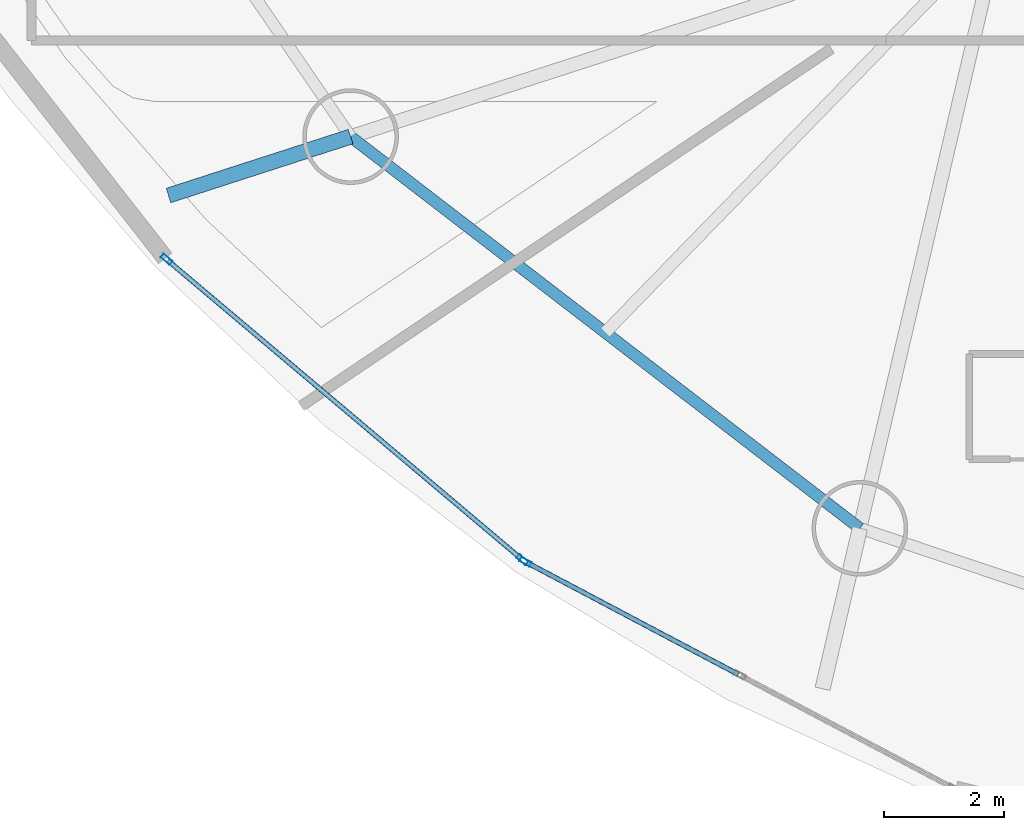
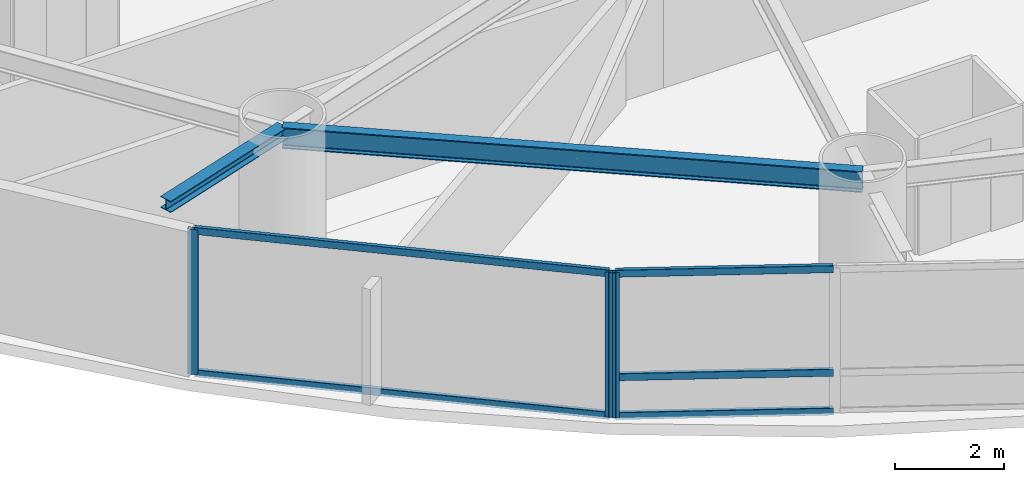
# One storey, part 2 of 19: 8 members, 2 beams, 2 elements without a shape of their own.
"""IFC4 building model written with IfcOpenShell, lengths in metres."""

from ifc_helpers import new_model, si_unit, direction, frame, origin, origin_2d, place, context, subcontext, project, spatial, hollow_rectangle, i_section, extrude, material, layer, layer_set, material_profile, profile_set, type_object, element, aggregate, save


model = new_model("IFC4")

# Units and contexts
model_context = context("Model", 3, precision=1e-05, world=origin(), true_north=direction((0.0, 1.0)))
body_context = subcontext(model_context, "Body", "Model", "MODEL_VIEW")
ifc_project = project(units=[si_unit("LENGTHUNIT", "METRE"), si_unit("AREAUNIT", "SQUARE_METRE"), si_unit("VOLUMEUNIT", "CUBIC_METRE"), si_unit("PLANEANGLEUNIT", "RADIAN"), si_unit("MASSUNIT", "GRAM", prefix="KILO")], contexts=[model_context])

# Site, building, storey
site_placement = place(None, origin())
site = spatial("IfcSite", under=ifc_project, at=site_placement, CompositionType="ELEMENT")
building_placement = place(site_placement, origin())
building = spatial("IfcBuilding", under=site, at=building_placement, Name="Bramvorn Convention Spire", CompositionType="ELEMENT")
storey_placement = place(building_placement, frame((0.0, 0.0, 62.39990234375)))
storey = spatial("IfcBuildingStorey", under=building, at=storey_placement, Name="L13", CompositionType="ELEMENT", Elevation=62.39990234375)

# Beams
ifc_material_1 = material(Name="Steel CSA G40.21 Grade 350 (350W)", Category="steel")
ifc_material_profile_1 = material_profile(ifc_material_1, i_section(OverallWidth=0.25390625, OverallDepth=0.2529296875, WebThickness=0.008544921875, FlangeThickness=0.01416015625, FilletRadius=0.011962890625, at=origin_2d()))
ifc_profile_set_1 = profile_set([ifc_material_profile_1], Name="Steel CSA G40.21 Grade 350 (350W) - W250X73")
beam_type_1 = type_object("IfcBeamType", Name="BM-W250X73", PredefinedType="BEAM", material=ifc_profile_set_1)
beam_1_placement = place(storey_placement, frame((15.894775390625, 15.039794921875, 3.12353515625), z_axis=(-0.951483286173, -0.307700432454, 0.0), x_axis=(0.307700432454, -0.951483286173, 0.0)))
element("IfcBeam", 1, at=beam_1_placement, inside=storey, type_object=beam_type_1, Name="L13 slab-edge cantilever tip beam MC11", PredefinedType="BEAM", context=body_context, shape_type="SweptSolid", body=[
    extrude(i_section(OverallWidth=0.25390625, OverallDepth=0.2529296875, WebThickness=0.008544921875, FlangeThickness=0.01416015625, FilletRadius=0.011962890625, at=origin_2d()), origin(), (0.0, 0.0, 1.0), 3.199951171875),
])
ifc_material_profile_2 = material_profile(ifc_material_1, i_section(OverallWidth=0.194091796875, OverallDepth=0.468994140625, WebThickness=0.0126953125, FlangeThickness=0.0205078125, FilletRadius=0.01806640625, at=origin_2d()))
ifc_profile_set_2 = profile_set([ifc_material_profile_2], Name="Steel CSA G40.21 Grade 350 (350W) - W460X106")
beam_type_2 = type_object("IfcBeamType", Name="BM-W460X106", PredefinedType="SPANDREL", material=ifc_profile_set_2)
beam_2_placement = place(storey_placement, frame((15.894775390625, 15.039794921875, 3.015625), z_axis=(0.792672990445, -0.609647053809, 0.0), x_axis=(0.609647053809, 0.792672990445, 0.0)))
element("IfcBeam", 2, at=beam_2_placement, inside=storey, type_object=beam_type_2, Name="L13 mega-column ring beam 11", PredefinedType="SPANDREL", context=body_context, shape_type="SweptSolid", body=[
    extrude(i_section(OverallWidth=0.194091796875, OverallDepth=0.468994140625, WebThickness=0.0126953125, FlangeThickness=0.0205078125, FilletRadius=0.01806640625, at=origin_2d()), origin(), (0.0, 0.0, 1.0), 10.741943359375),
])

# Curtain wall, members
ifc_material_2 = material(Name="Anodised Bronze Unitised Curtain Wall", Category="aluminium")
ifc_layer = layer(ifc_material_2, 0.179931640625)
ifc_layer_set = layer_set([ifc_layer], Name="Anodised Bronze Unitised Curtain Wall - CW-HTL-FRIT")
curtain_wall_type = type_object("IfcCurtainWallType", Name="CW-HTL-FRIT", PredefinedType="USERDEFINED", material=ifc_layer_set)
curtain_wall_1_placement = place(storey_placement, origin())
curtain_wall_1 = element("IfcCurtainWall", 3, at=curtain_wall_1_placement, inside=storey, type_object=curtain_wall_type, Name="L13 fritted glass curtain wall 16", ObjectType="UNITISED CURTAIN WALL", PredefinedType="USERDEFINED")
ifc_material_3 = material(Name="Anodised Bronze Aluminium 6063-T6", Category="aluminium")
ifc_material_profile_3 = material_profile(ifc_material_3, hollow_rectangle(XDim=0.080078125, YDim=0.199951171875, WallThickness=0.00390625, InnerFilletRadius=0.0009765625, OuterFilletRadius=0.00390625, at=origin_2d()))
ifc_profile_set_3 = profile_set([ifc_material_profile_3], Name="Anodised Bronze Aluminium 6063-T6 - CWM80X200")
member_type_1 = type_object("IfcMemberType", Name="CW-MUL-180", PredefinedType="MULLION", material=ifc_profile_set_3)
member_1_placement = place(storey_placement, frame((18.76708984375, 7.965576171875, 0.0), z_axis=(0.0, 0.0, 1.0), x_axis=(-0.645018919218, -0.764166600848, 0.0)))
member_1 = element("IfcMember", 4, at=member_1_placement, type_object=member_type_1, Name="CW2 mullion 1", PredefinedType="MULLION", context=body_context, shape_type="SweptSolid", body=[
    extrude(hollow_rectangle(XDim=0.080078125, YDim=0.199951171875, WallThickness=0.00390625, InnerFilletRadius=0.0009765625, OuterFilletRadius=0.00390625, at=origin_2d()), origin(), (0.0, 0.0, 1.0), 3.25),
])
member_2_placement = place(storey_placement, frame((12.818115234375, 12.987060546875, 0.0), z_axis=(0.0, 0.0, 1.0), x_axis=(-0.645018919218, -0.764166600848, 0.0)))
member_2 = element("IfcMember", 5, at=member_2_placement, type_object=member_type_1, Name="CW2 mullion 2", PredefinedType="MULLION", context=body_context, shape_type="SweptSolid", body=[
    extrude(hollow_rectangle(XDim=0.080078125, YDim=0.199951171875, WallThickness=0.00390625, InnerFilletRadius=0.0009765625, OuterFilletRadius=0.00390625, at=origin_2d()), origin(), (0.0, 0.0, 1.0), 3.25),
])

# Curtain wall, member
curtain_wall_2_placement = place(storey_placement, origin())
curtain_wall_2 = element("IfcCurtainWall", 6, at=curtain_wall_2_placement, inside=storey, type_object=curtain_wall_type, Name="L13 fritted glass curtain wall 17", ObjectType="UNITISED CURTAIN WALL", PredefinedType="USERDEFINED")
member_3_placement = place(storey_placement, frame((18.816650390625, 7.93212890625, 0.0), z_axis=(0.0, 0.0, 1.0), x_axis=(-0.467559853101, -0.883961415317, 0.0)))
member_3 = element("IfcMember", 7, at=member_3_placement, type_object=member_type_1, Name="CW2 mullion 3", PredefinedType="MULLION", context=body_context, shape_type="SweptSolid", body=[
    extrude(hollow_rectangle(XDim=0.080078125, YDim=0.199951171875, WallThickness=0.00390625, InnerFilletRadius=0.0009765625, OuterFilletRadius=0.00390625, at=origin_2d()), origin(), (0.0, 0.0, 1.0), 3.25),
])

# Member
ifc_material_profile_4 = material_profile(ifc_material_3, hollow_rectangle(XDim=0.080078125, YDim=0.159912109375, WallThickness=0.00390625, InnerFilletRadius=0.0009765625, OuterFilletRadius=0.00390625, at=origin_2d()))
ifc_profile_set_4 = profile_set([ifc_material_profile_4], Name="Anodised Bronze Aluminium 6063-T6 - CWT80X160")
member_type_2 = type_object("IfcMemberType", Name="CW-TRN-150", PredefinedType="USERDEFINED", material=ifc_profile_set_4)
member_4_placement = place(storey_placement, frame((18.744140625, 7.98486328125, 0.030029296875), z_axis=(-0.764167340661, 0.645018042746, 0.0), x_axis=(-0.645018042746, -0.764167340661, 0.0)))
member_4 = element("IfcMember", 8, at=member_4_placement, type_object=member_type_2, Name="CW2 transom 1.1", ObjectType="TRANSOM", PredefinedType="USERDEFINED", context=body_context, shape_type="SweptSolid", body=[
    extrude(hollow_rectangle(XDim=0.080078125, YDim=0.159912109375, WallThickness=0.00390625, InnerFilletRadius=0.0009765625, OuterFilletRadius=0.00390625, at=origin_2d()), origin(), (0.0, 0.0, 1.0), 7.724853515625),
])

member_5_placement = place(storey_placement, frame((18.744140625, 7.98486328125, 3.22021484375), z_axis=(-0.764167340661, 0.645018042746, 0.0), x_axis=(-0.645018042746, -0.764167340661, 0.0)))
member_5 = element("IfcMember", 9, at=member_5_placement, type_object=member_type_2, Name="CW2 transom 1.2", ObjectType="TRANSOM", PredefinedType="USERDEFINED", context=body_context, shape_type="SweptSolid", body=[
    extrude(hollow_rectangle(XDim=0.080078125, YDim=0.159912109375, WallThickness=0.00390625, InnerFilletRadius=0.0009765625, OuterFilletRadius=0.00390625, at=origin_2d()), origin(), (0.0, 0.0, 1.0), 7.724853515625),
])

aggregate(curtain_wall_1, [member_1, member_2, member_4, member_5])

member_6_placement = place(storey_placement, frame((22.375, 6.050048828125, 0.030029296875), z_axis=(-0.88396471914, 0.467553606889, 0.0), x_axis=(-0.467553606889, -0.88396471914, 0.0)))
member_6 = element("IfcMember", 10, at=member_6_placement, type_object=member_type_2, Name="CW2 transom 2.1", ObjectType="TRANSOM", PredefinedType="USERDEFINED", context=body_context, shape_type="SweptSolid", body=[
    extrude(hollow_rectangle(XDim=0.080078125, YDim=0.159912109375, WallThickness=0.00390625, InnerFilletRadius=0.0009765625, OuterFilletRadius=0.00390625, at=origin_2d()), origin(), (0.0, 0.0, 1.0), 3.99560546875),
])

member_7_placement = place(storey_placement, frame((22.375, 6.050048828125, 0.900146484375), z_axis=(-0.88396471914, 0.467553606889, 0.0), x_axis=(-0.467553606889, -0.88396471914, 0.0)))
member_7 = element("IfcMember", 11, at=member_7_placement, type_object=member_type_2, Name="CW2 transom 2.2", ObjectType="TRANSOM", PredefinedType="USERDEFINED", context=body_context, shape_type="SweptSolid", body=[
    extrude(hollow_rectangle(XDim=0.080078125, YDim=0.159912109375, WallThickness=0.00390625, InnerFilletRadius=0.0009765625, OuterFilletRadius=0.00390625, at=origin_2d()), origin(), (0.0, 0.0, 1.0), 3.99560546875),
])

member_8_placement = place(storey_placement, frame((22.375, 6.050048828125, 3.22021484375), z_axis=(-0.88396471914, 0.467553606889, 0.0), x_axis=(-0.467553606889, -0.88396471914, 0.0)))
member_8 = element("IfcMember", 12, at=member_8_placement, type_object=member_type_2, Name="CW2 transom 2.3", ObjectType="TRANSOM", PredefinedType="USERDEFINED", context=body_context, shape_type="SweptSolid", body=[
    extrude(hollow_rectangle(XDim=0.080078125, YDim=0.159912109375, WallThickness=0.00390625, InnerFilletRadius=0.0009765625, OuterFilletRadius=0.00390625, at=origin_2d()), origin(), (0.0, 0.0, 1.0), 3.99560546875),
])

aggregate(curtain_wall_2, [member_3, member_6, member_7, member_8])

save(model, "model.ifc")
